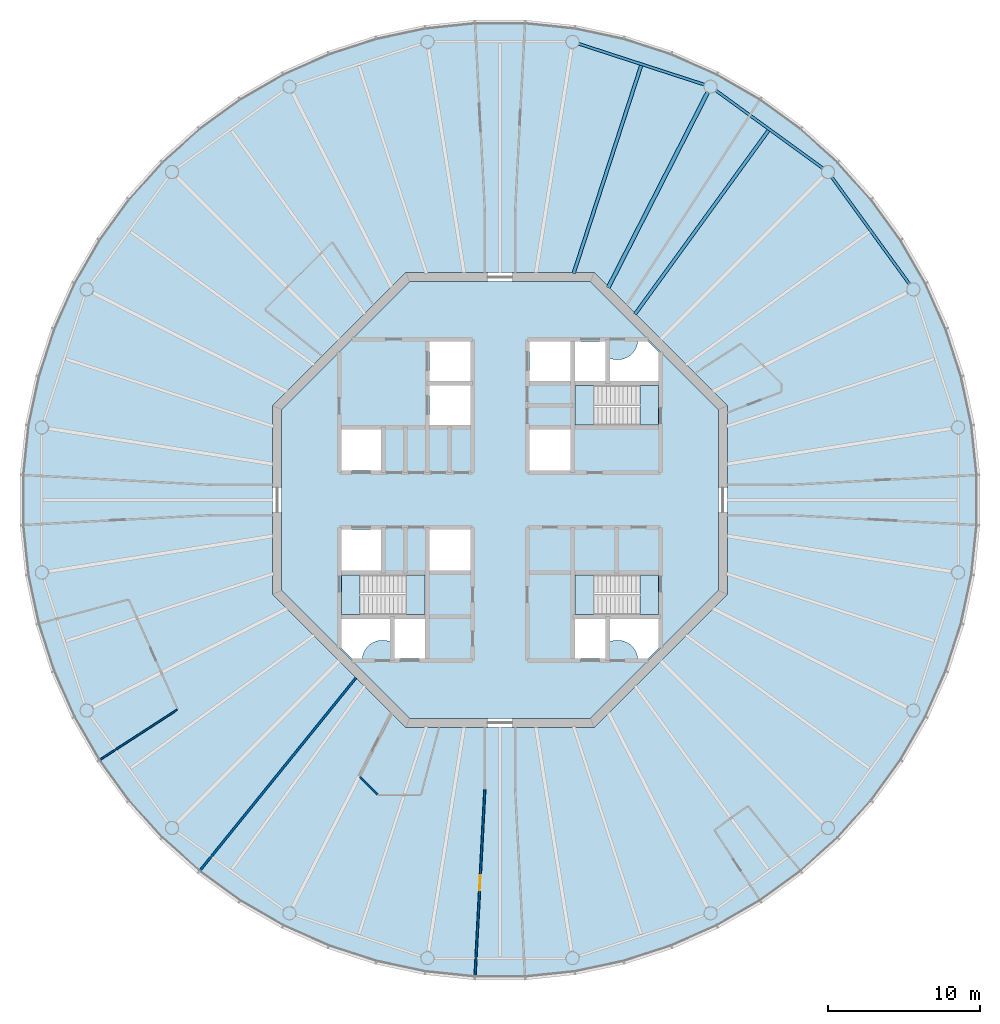
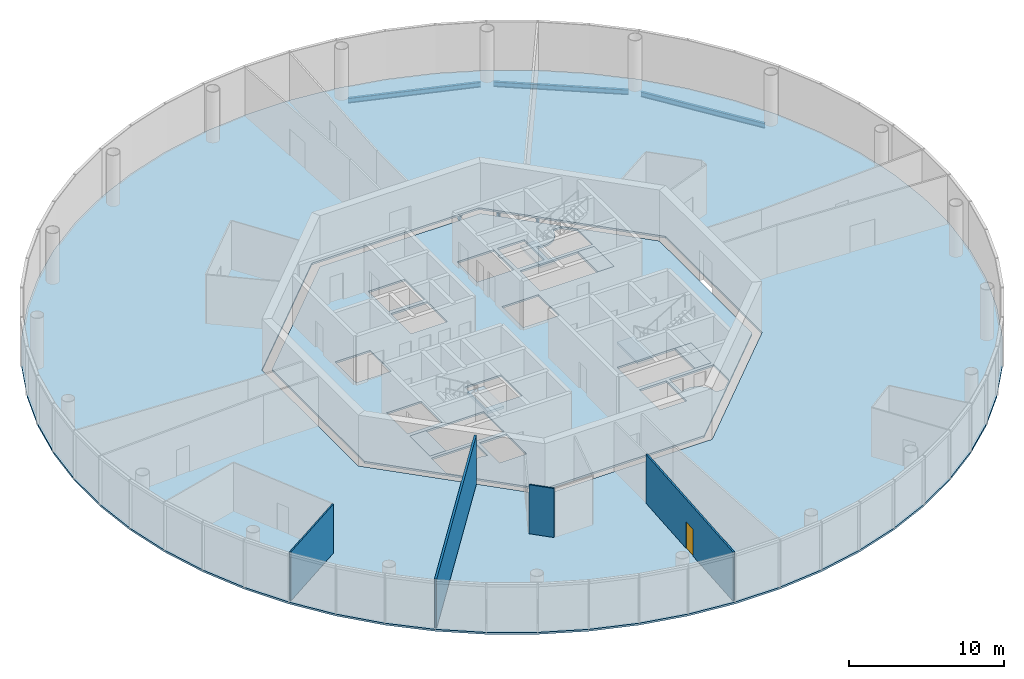
# One storey, part 2 of 13: 8 slabs, 6 beams, 4 walls, 1 door, 1 opening, 3 elements without a shape of their own.
"""IFC4 building model written with IfcOpenShell, lengths in metres."""

from ifc_helpers import new_model, si_unit, direction, frame, frame_2d, origin, origin_2d, place, context, subcontext, project, spatial, polyline, rectangle, i_section, outline, extrude, material, layer, layer_set, material_profile, profile_set, type_object, element, fill, aggregate, save


model = new_model("IFC4")

# Units and contexts
model_context = context("Model", 3, precision=1e-05, world=origin(), true_north=direction((0.0, 1.0)))
body_context = subcontext(model_context, "Body", "Model", "MODEL_VIEW")
ifc_project = project(units=[si_unit("LENGTHUNIT", "METRE"), si_unit("AREAUNIT", "SQUARE_METRE"), si_unit("VOLUMEUNIT", "CUBIC_METRE"), si_unit("PLANEANGLEUNIT", "RADIAN"), si_unit("MASSUNIT", "GRAM", prefix="KILO")], contexts=[model_context])

# Site, building, storey
site_placement = place(None, origin())
site = spatial("IfcSite", under=ifc_project, at=site_placement, CompositionType="ELEMENT")
building_placement = place(site_placement, origin())
building = spatial("IfcBuilding", under=site, at=building_placement, Name="Entoto Ring Tower", CompositionType="ELEMENT")
storey_placement = place(building_placement, frame((0.0, 0.0, 380.0)))
storey = spatial("IfcBuildingStorey", under=building, at=storey_placement, Name="L88", CompositionType="ELEMENT", Elevation=380.0)

# Beams
ifc_material_1 = material(Name="Steel S355", Category="steel")
ifc_material_profile_1 = material_profile(ifc_material_1, i_section(OverallWidth=0.179931640625, OverallDepth=0.39990234375, WebThickness=0.008544921875, FlangeThickness=0.013427734375, FilletRadius=0.02099609375, at=origin_2d()), Name="IPE 400")
ifc_profile_set_1 = profile_set([ifc_material_profile_1], Name="Steel S355")
beam_type_1 = type_object("IfcBeamType", Name="Edge beam IPE 400", PredefinedType="SPANDREL", material=ifc_profile_set_1)
for number, where, z_axis, x_axis, name in (
    (1, (117.017333984375, 94.232666015625, -0.35009765625), (-0.587794254874, 0.80901045354, 0.0), (-0.80901045354, -0.587794254874, 0.0), "Edge beam L88 02"),
    (2, (111.296875, 101.884765625, -0.35009765625), (-0.80901045354, 0.587794254874, 0.0), (-0.587794254874, -0.80901045354, 0.0), "Edge beam L88 03"),
):
    element("IfcBeam", number, at=place(storey_placement, frame(where, z_axis=z_axis, x_axis=x_axis)), inside=storey, type_object=beam_type_1, Name=name, PredefinedType="SPANDREL", context=body_context, shape_type="SweptSolid", body=[
        extrude(i_section(OverallWidth=0.179931640625, OverallDepth=0.39990234375, WebThickness=0.008544921875, FlangeThickness=0.013427734375, FilletRadius=0.02099609375, at=origin_2d()), origin(), (0.0, 0.0, 1.0), 8.73193359375),
    ])
beam_1_placement = place(storey_placement, frame((103.491943359375, 107.394775390625, -0.35009765625), z_axis=(-0.951052147972, 0.309030438368, 0.0), x_axis=(-0.309030438368, -0.951052147972, 0.0)))
element("IfcBeam", 3, at=beam_1_placement, inside=storey, type_object=beam_type_1, Name="Edge beam L88 04", PredefinedType="SPANDREL", context=body_context, shape_type="SweptSolid", body=[
    extrude(i_section(OverallWidth=0.179931640625, OverallDepth=0.39990234375, WebThickness=0.008544921875, FlangeThickness=0.013427734375, FilletRadius=0.02099609375, at=origin_2d()), origin(), (0.0, 0.0, 1.0), 8.732177734375),
])
ifc_material_2 = material(Name="Steel S355", Category="steel")
ifc_material_profile_2 = material_profile(ifc_material_2, i_section(OverallWidth=0.262939453125, OverallDepth=0.7529296875, WebThickness=0.011474609375, FlangeThickness=0.01708984375, FilletRadius=0.01708984375, at=origin_2d()), Name="IPE 750 x 137")
ifc_profile_set_2 = profile_set([ifc_material_profile_2], Name="Steel S355")
beam_type_2 = type_object("IfcBeamType", Name="Primary floor beam IPE 750 x 137", PredefinedType="BEAM", material=ifc_profile_set_2)
beam_2_placement = place(storey_placement, frame((97.1318359375, 93.9970703125, -0.526611328125), z_axis=(0.453991952968, 0.89100578373, 0.0), x_axis=(-0.89100578373, 0.453991952968, 0.0)))
element("IfcBeam", 4, at=beam_2_placement, inside=storey, type_object=beam_type_2, Name="Primary L88 R04", PredefinedType="BEAM", context=body_context, shape_type="SweptSolid", body=[
    extrude(i_section(OverallWidth=0.262939453125, OverallDepth=0.7529296875, WebThickness=0.011474609375, FlangeThickness=0.01708984375, FilletRadius=0.01708984375, at=origin_2d()), origin(), (0.0, 0.0, 1.0), 14.48046875),
])
ifc_material_3 = material(Name="Steel S355", Category="steel")
ifc_material_profile_3 = material_profile(ifc_material_3, i_section(OverallWidth=0.219970703125, OverallDepth=0.60009765625, WebThickness=0.011962890625, FlangeThickness=0.01904296875, FilletRadius=0.02392578125, at=origin_2d()), Name="IPE 600")
ifc_profile_set_3 = profile_set([ifc_material_profile_3], Name="Steel S355")
beam_type_3 = type_object("IfcBeamType", Name="Secondary floor beam IPE 600", PredefinedType="JOIST", material=ifc_profile_set_3)
beam_3_placement = place(storey_placement, frame((98.90478515625, 92.25634765625, -0.449951171875), z_axis=(0.587782163866, 0.809019238239, 0.0), x_axis=(-0.809019238239, 0.587782163866, 0.0)))
element("IfcBeam", 5, at=beam_3_placement, inside=storey, type_object=beam_type_3, Name="Secondary beam L88 03", PredefinedType="JOIST", context=body_context, shape_type="SweptSolid", body=[
    extrude(i_section(OverallWidth=0.219970703125, OverallDepth=0.60009765625, WebThickness=0.011962890625, FlangeThickness=0.01904296875, FilletRadius=0.02392578125, at=origin_2d()), origin(), (0.0, 0.0, 1.0), 14.983642578125),
])
beam_4_placement = place(storey_placement, frame((94.856689453125, 94.947021484375, -0.449951171875), z_axis=(0.309014850288, 0.951057212949, 0.0), x_axis=(-0.951057212949, 0.309014850288, 0.0)))
element("IfcBeam", 6, at=beam_4_placement, inside=storey, type_object=beam_type_3, Name="Secondary beam L88 04", PredefinedType="JOIST", context=body_context, shape_type="SweptSolid", body=[
    extrude(i_section(OverallWidth=0.219970703125, OverallDepth=0.60009765625, WebThickness=0.011962890625, FlangeThickness=0.01904296875, FilletRadius=0.02392578125, at=origin_2d()), origin(), (0.0, 0.0, 1.0), 14.4169921875),
])

# Slabs
ifc_material_4 = material(Name="Concrete C30/37", Category="concrete")
ifc_layer_1 = layer(ifc_material_4, 0.14990234375)
ifc_layer_set_1 = layer_set([ifc_layer_1], Name="Concrete C30/37")
slab_type_1 = type_object("IfcSlabType", Name="Composite floor slab 150 mm", PredefinedType="FLOOR", material=ifc_layer_set_1)
slab_1_placement = place(storey_placement, frame((0.0, 0.0, -0.14990234375)))
element("IfcSlab", 7, at=slab_1_placement, inside=storey, type_object=slab_type_1, Name="Floor slab L88", PredefinedType="FLOOR", context=body_context, shape_type="SweptSolid", body=[
    extrude(outline(polyline([(121.2109375, 84.943359375), (120.523193359375, 88.1787109375), (119.501220703125, 91.324462890625), (118.15576171875, 94.34619140625), (116.501953125, 97.210693359375), (114.557861328125, 99.886474609375), (112.344482421875, 102.344482421875), (109.886474609375, 104.557861328125), (107.210693359375, 106.501953125), (104.34619140625, 108.15576171875), (101.324462890625, 109.501220703125), (98.1787109375, 110.523193359375), (94.943359375, 111.2109375), (91.65380859375, 111.556640625), (88.34619140625, 111.556640625), (85.056640625, 111.2109375), (81.8212890625, 110.523193359375), (78.675537109375, 109.501220703125), (75.65380859375, 108.15576171875), (72.789306640625, 106.501953125), (70.113525390625, 104.557861328125), (67.655517578125, 102.344482421875), (65.442138671875, 99.886474609375), (63.498046875, 97.210693359375), (61.84423828125, 94.34619140625), (60.498779296875, 91.324462890625), (59.476806640625, 88.1787109375), (58.7890625, 84.943359375), (58.443359375, 81.65380859375), (58.443359375, 78.34619140625), (58.7890625, 75.056640625), (59.476806640625, 71.8212890625), (60.498779296875, 68.675537109375), (61.84423828125, 65.65380859375), (63.498046875, 62.789306640625), (65.442138671875, 60.113525390625), (67.655517578125, 57.655517578125), (70.113525390625, 55.442138671875), (72.789306640625, 53.498046875), (75.65380859375, 51.84423828125), (78.675537109375, 50.498779296875), (81.8212890625, 49.476806640625), (85.056640625, 48.7890625), (88.34619140625, 48.443359375), (91.65380859375, 48.443359375), (94.943359375, 48.7890625), (98.1787109375, 49.476806640625), (101.324462890625, 50.498779296875), (104.34619140625, 51.84423828125), (107.210693359375, 53.498046875), (109.886474609375, 55.442138671875), (112.344482421875, 57.655517578125), (114.557861328125, 60.113525390625), (116.501953125, 62.789306640625), (118.15576171875, 65.65380859375), (119.501220703125, 68.675537109375), (120.523193359375, 71.8212890625), (121.2109375, 75.056640625), (121.556640625, 78.34619140625), (121.556640625, 81.65380859375), (121.2109375, 84.943359375)]), holes=[polyline([(105.0, 73.786865234375), (105.0, 86.213134765625), (96.213134765625, 95.0), (83.786865234375, 95.0), (75.0, 86.213134765625), (75.0, 73.786865234375), (83.786865234375, 65.0), (96.213134765625, 65.0), (105.0, 73.786865234375)])]), origin(), (0.0, 0.0, 1.0), 0.14990234375),
])
ifc_material_5 = material(Name="Concrete C40/50", Category="concrete")
ifc_layer_2 = layer(ifc_material_5, 0.14990234375)
ifc_layer_set_2 = layer_set([ifc_layer_2], Name="Concrete C40/50")
slab_type_2 = type_object("IfcSlabType", Name="Core floor slab 150 mm reinforced concrete C40/50", PredefinedType="FLOOR", material=ifc_layer_set_2)
slab_2_placement = place(storey_placement, frame((0.0, 0.0, -0.14990234375)))
element("IfcSlab", 8, at=slab_2_placement, inside=storey, type_object=slab_type_2, Name="Core floor L88", PredefinedType="FLOOR", context=body_context, shape_type="SweptSolid", body=[
    extrude(outline(polyline([(104.39990234375, 74.035400390625), (104.39990234375, 85.964599609375), (95.964599609375, 94.39990234375), (84.035400390625, 94.39990234375), (75.60009765625, 85.964599609375), (75.60009765625, 74.035400390625), (84.035400390625, 65.60009765625), (95.964599609375, 65.60009765625), (104.39990234375, 74.035400390625)]), holes=[polyline([(100.449951171875, 84.949951171875), (100.449951171875, 87.550048828125), (94.949951171875, 87.550048828125), (94.949951171875, 84.949951171875), (100.449951171875, 84.949951171875)]), polyline([(85.050048828125, 72.449951171875), (85.050048828125, 75.050048828125), (79.550048828125, 75.050048828125), (79.550048828125, 72.449951171875), (85.050048828125, 72.449951171875)]), polyline([(100.449951171875, 72.449951171875), (100.449951171875, 75.050048828125), (94.949951171875, 75.050048828125), (94.949951171875, 72.449951171875), (100.449951171875, 72.449951171875)]), polyline([(94.949951171875, 90.449951171875), (94.949951171875, 87.85009765625), (96.949951171875, 87.85009765625), (96.949951171875, 90.449951171875), (94.949951171875, 90.449951171875)]), polyline([(94.949951171875, 72.14990234375), (94.949951171875, 69.550048828125), (96.949951171875, 69.550048828125), (96.949951171875, 72.14990234375), (94.949951171875, 72.14990234375)]), polyline([(83.050048828125, 72.14990234375), (83.050048828125, 69.550048828125), (85.050048828125, 69.550048828125), (85.050048828125, 72.14990234375), (83.050048828125, 72.14990234375)]), polyline([(79.550048828125, 81.949951171875), (82.14990234375, 81.949951171875), (82.14990234375, 84.64990234375), (79.550048828125, 84.64990234375), (79.550048828125, 81.949951171875)]), polyline([(79.550048828125, 75.35009765625), (82.14990234375, 75.35009765625), (82.14990234375, 78.050048828125), (79.550048828125, 78.050048828125), (79.550048828125, 75.35009765625)]), polyline([(91.949951171875, 87.85009765625), (94.64990234375, 87.85009765625), (94.64990234375, 90.449951171875), (91.949951171875, 90.449951171875), (91.949951171875, 87.85009765625)]), polyline([(91.949951171875, 81.949951171875), (94.64990234375, 81.949951171875), (94.64990234375, 84.64990234375), (91.949951171875, 84.64990234375), (91.949951171875, 81.949951171875)]), polyline([(85.35009765625, 75.35009765625), (88.050048828125, 75.35009765625), (88.050048828125, 78.050048828125), (85.35009765625, 78.050048828125), (85.35009765625, 75.35009765625)]), polyline([(85.35009765625, 84.949951171875), (88.050048828125, 84.949951171875), (88.050048828125, 87.550048828125), (85.35009765625, 87.550048828125), (85.35009765625, 84.949951171875)]), polyline([(85.35009765625, 87.85009765625), (88.050048828125, 87.85009765625), (88.050048828125, 90.449951171875), (85.35009765625, 90.449951171875), (85.35009765625, 87.85009765625)]), polyline([(97.199951171875, 89.368408203125), (97.199951171875, 87.800048828125), (100.5, 87.800048828125), (100.5, 89.723388671875), (99.723388671875, 90.5), (99.09521484375, 90.5), (99.093505859375, 90.4677734375), (99.07421875, 90.336669921875), (99.0419921875, 90.2080078125), (98.997314453125, 90.08349609375), (98.940673828125, 89.963623046875), (98.87255859375, 89.85009765625), (98.793701171875, 89.74365234375), (98.70458984375, 89.6455078125), (98.6064453125, 89.556396484375), (98.5, 89.4775390625), (98.386474609375, 89.409423828125), (98.2666015625, 89.352783203125), (98.141845703125, 89.30810546875), (98.013427734375, 89.27587890625), (97.88232421875, 89.256591796875), (97.75, 89.25), (97.61767578125, 89.256591796875), (97.486572265625, 89.27587890625), (97.358154296875, 89.30810546875), (97.2333984375, 89.352783203125), (97.199951171875, 89.368408203125)]), polyline([(80.276611328125, 69.5), (80.90478515625, 69.5), (80.906494140625, 69.5322265625), (80.92578125, 69.663330078125), (80.9580078125, 69.7919921875), (81.002685546875, 69.91650390625), (81.059326171875, 70.036376953125), (81.12744140625, 70.14990234375), (81.206298828125, 70.25634765625), (81.29541015625, 70.3544921875), (81.3935546875, 70.443603515625), (81.5, 70.5224609375), (81.613525390625, 70.590576171875), (81.7333984375, 70.647216796875), (81.858154296875, 70.69189453125), (81.986572265625, 70.72412109375), (82.11767578125, 70.743408203125), (82.25, 70.75), (82.38232421875, 70.743408203125), (82.513427734375, 70.72412109375), (82.641845703125, 70.69189453125), (82.7666015625, 70.647216796875), (82.800048828125, 70.631591796875), (82.800048828125, 72.199951171875), (79.5, 72.199951171875), (79.5, 70.276611328125), (80.276611328125, 69.5)]), polyline([(99.09521484375, 69.5), (99.723388671875, 69.5), (100.5, 70.276611328125), (100.5, 72.199951171875), (97.199951171875, 72.199951171875), (97.199951171875, 70.631591796875), (97.2333984375, 70.647216796875), (97.358154296875, 70.69189453125), (97.486572265625, 70.72412109375), (97.61767578125, 70.743408203125), (97.75, 70.75), (97.88232421875, 70.743408203125), (98.013427734375, 70.72412109375), (98.141845703125, 70.69189453125), (98.2666015625, 70.647216796875), (98.386474609375, 70.590576171875), (98.5, 70.5224609375), (98.6064453125, 70.443603515625), (98.70458984375, 70.3544921875), (98.793701171875, 70.25634765625), (98.87255859375, 70.14990234375), (98.940673828125, 70.036376953125), (98.997314453125, 69.91650390625), (99.0419921875, 69.7919921875), (99.07421875, 69.663330078125), (99.093505859375, 69.5322265625), (99.09521484375, 69.5)])]), origin(), (0.0, 0.0, 1.0), 0.14990234375),
])

# Stair, slabs
ifc_material_6 = material(Name="Concrete C40/50", Category="concrete")
stair_type = type_object("IfcStairType", Name="Exit stair 1200 mm dog-leg reinforced concrete", PredefinedType="HALF_TURN_STAIR", material=ifc_material_6)
stair_1_placement = place(storey_placement, origin())
stair_1 = element("IfcStair", 9, at=stair_1_placement, inside=storey, type_object=stair_type, Name="Exit stair 1", PredefinedType="HALF_TURN_STAIR")
ifc_material_7 = material(Name="Concrete C40/50", Category="concrete")
ifc_layer_3 = layer(ifc_material_7, 0.199951171875)
ifc_layer_set_3 = layer_set([ifc_layer_3], Name="Concrete C40/50")
slab_type_3 = type_object("IfcSlabType", Name="Stair landing 200 mm reinforced concrete", PredefinedType="LANDING", material=ifc_layer_set_3)
slab_3_placement = place(storey_placement, frame((0.0, 0.0, -0.199951171875)))
slab_3 = element("IfcSlab", 10, at=slab_3_placement, type_object=slab_type_3, Name="ST1 landing 1", PredefinedType="LANDING", context=body_context, shape_type="SweptSolid", body=[
    extrude(outline(polyline([(100.449951171875, 84.949951171875), (100.449951171875, 87.550048828125), (99.25, 87.550048828125), (99.25, 84.949951171875), (100.449951171875, 84.949951171875)])), origin(), (0.0, 0.0, 1.0), 0.199951171875),
])
slab_4_placement = place(storey_placement, frame((0.0, 0.0, 1.800048828125)))
slab_4 = element("IfcSlab", 11, at=slab_4_placement, type_object=slab_type_3, Name="ST1 landing 2", PredefinedType="LANDING", context=body_context, shape_type="SweptSolid", body=[
    extrude(outline(polyline([(94.949951171875, 84.949951171875), (96.169921875, 84.949951171875), (96.169921875, 87.550048828125), (94.949951171875, 87.550048828125), (94.949951171875, 84.949951171875)])), origin(), (0.0, 0.0, 1.0), 0.199951171875),
])
aggregate(stair_1, [slab_3, slab_4])

stair_2_placement = place(storey_placement, origin())
stair_2 = element("IfcStair", 12, at=stair_2_placement, inside=storey, type_object=stair_type, Name="Exit stair 2", PredefinedType="HALF_TURN_STAIR")
slab_5_placement = place(storey_placement, frame((0.0, 0.0, -0.199951171875)))
slab_5 = element("IfcSlab", 13, at=slab_5_placement, type_object=slab_type_3, Name="ST2 landing 1", PredefinedType="LANDING", context=body_context, shape_type="SweptSolid", body=[
    extrude(outline(polyline([(80.75, 72.449951171875), (80.75, 75.050048828125), (79.550048828125, 75.050048828125), (79.550048828125, 72.449951171875), (80.75, 72.449951171875)])), origin(), (0.0, 0.0, 1.0), 0.199951171875),
])
slab_6_placement = place(storey_placement, frame((0.0, 0.0, 1.800048828125)))
slab_6 = element("IfcSlab", 14, at=slab_6_placement, type_object=slab_type_3, Name="ST2 landing 2", PredefinedType="LANDING", context=body_context, shape_type="SweptSolid", body=[
    extrude(outline(polyline([(83.830078125, 72.449951171875), (85.050048828125, 72.449951171875), (85.050048828125, 75.050048828125), (83.830078125, 75.050048828125), (83.830078125, 72.449951171875)])), origin(), (0.0, 0.0, 1.0), 0.199951171875),
])
aggregate(stair_2, [slab_5, slab_6])

stair_3_placement = place(storey_placement, origin())
stair_3 = element("IfcStair", 15, at=stair_3_placement, inside=storey, type_object=stair_type, Name="Exit stair 3", PredefinedType="HALF_TURN_STAIR")
slab_7_placement = place(storey_placement, frame((0.0, 0.0, -0.199951171875)))
slab_7 = element("IfcSlab", 16, at=slab_7_placement, type_object=slab_type_3, Name="ST3 landing 1", PredefinedType="LANDING", context=body_context, shape_type="SweptSolid", body=[
    extrude(outline(polyline([(100.449951171875, 72.449951171875), (100.449951171875, 75.050048828125), (99.25, 75.050048828125), (99.25, 72.449951171875), (100.449951171875, 72.449951171875)])), origin(), (0.0, 0.0, 1.0), 0.199951171875),
])
slab_8_placement = place(storey_placement, frame((0.0, 0.0, 1.800048828125)))
slab_8 = element("IfcSlab", 17, at=slab_8_placement, type_object=slab_type_3, Name="ST3 landing 2", PredefinedType="LANDING", context=body_context, shape_type="SweptSolid", body=[
    extrude(outline(polyline([(94.949951171875, 72.449951171875), (96.169921875, 72.449951171875), (96.169921875, 75.050048828125), (94.949951171875, 75.050048828125), (94.949951171875, 72.449951171875)])), origin(), (0.0, 0.0, 1.0), 0.199951171875),
])
aggregate(stair_3, [slab_7, slab_8])

# Wall, opening, door
ifc_material_8 = material(Name="Fire-resisting plasterboard on steel studs", Category="steel")
ifc_layer_4 = layer(ifc_material_8, 0.125)
ifc_layer_set_4 = layer_set([ifc_layer_4], Name="Fire-resisting plasterboard on steel studs")
wall_type_1 = type_object("IfcWallType", Name="Corridor wall 125 mm one-hour plasterboard on steel studs", PredefinedType="PARTITIONING", material=ifc_layer_set_4)
wall_1_placement = place(storey_placement, frame((88.3544921875, 48.60302734375, 0.0), z_axis=(0.0, 0.0, 1.0), x_axis=(0.052340638328, 0.998629289366, 0.0)))
wall_1 = element("IfcWall", 18, at=wall_1_placement, inside=storey, type_object=wall_type_1, Name="partition-L88-003", PredefinedType="PARTITIONING", context=body_context, shape_type="SweptSolid", body=[
    extrude(rectangle(XDim=12.332763671875, YDim=0.125, at=frame_2d((6.16650390625, 0.0))), origin(), (0.0, 0.0, 1.0), 3.85009765625),
])
opening_placement = place(wall_1_placement, frame((5.666259765625, 0.0, 0.0)))
opening = element("IfcOpeningElement", 19, at=opening_placement, cuts=wall_1, Name="Opening A37-D08", PredefinedType="OPENING", context=body_context, shape_type="SweptSolid", body=[
    extrude(rectangle(XDim=1.0, YDim=2.10009765625, at=frame_2d((0.5, 1.050048828125))), frame((0.0, 0.072509765625, 0.0), z_axis=(0.0, -1.0, 0.0), x_axis=(1.0, 0.0, 0.0)), (0.0, 0.0, 1.0), 0.14501953125),
])
ifc_material_9 = material(Name="Fire-resisting timber door set", Category="wood")
door_type = type_object("IfcDoorType", Name="Door 1000 x 2100 single leaf FD30S fire door", OperationType="NOTDEFINED", PredefinedType="DOOR", material=ifc_material_9)
door_placement = place(opening_placement, origin())
door = element("IfcDoor", 20, at=door_placement, inside=storey, type_object=door_type, Name="Door A37-D08", OperationType="SINGLE_SWING_LEFT", OverallHeight=2.10009765625, OverallWidth=1.0, PredefinedType="DOOR", context=body_context, shape_type="SweptSolid", body=[
    extrude(rectangle(XDim=1.0, YDim=2.10009765625, at=frame_2d((0.5, 1.050048828125))), frame((0.0, 0.02490234375, 0.0), z_axis=(0.0, -1.0, 0.0), x_axis=(1.0, 0.0, 0.0)), (0.0, 0.0, 1.0), 0.050048828125),
])
fill(opening, door)

# Walls
ifc_material_10 = material(Name="Plasterboard on steel studs", Category="steel")
ifc_layer_5 = layer(ifc_material_10, 0.10009765625)
ifc_layer_set_5 = layer_set([ifc_layer_5], Name="Plasterboard on steel studs")
wall_type_2 = type_object("IfcWallType", Name="Partition 100 mm plasterboard on steel studs", PredefinedType="PARTITIONING", material=ifc_layer_set_5)
wall_2_placement = place(storey_placement, frame((63.632080078125, 62.87646484375, 0.0), z_axis=(0.0, 0.0, 1.0), x_axis=(0.838667927418, 0.54464310105, 0.0)))
element("IfcWall", 21, at=wall_2_placement, inside=storey, type_object=wall_type_2, Name="partition-L88-021", PredefinedType="PARTITIONING", context=body_context, shape_type="SweptSolid", body=[
    extrude(rectangle(XDim=6.040771484375, YDim=0.10009765625, at=frame_2d((3.0205078125, 0.0))), origin(), (0.0, 0.0, 1.0), 3.85009765625),
])
wall_3_placement = place(storey_placement, frame((81.918701171875, 60.57470703125, 0.0), z_axis=(0.0, 0.0, 1.0), x_axis=(-0.707032989715, 0.707180564958, 0.0)))
element("IfcWall", 22, at=wall_3_placement, inside=storey, type_object=wall_type_2, Name="partition-L88-034", PredefinedType="PARTITIONING", context=body_context, shape_type="SweptSolid", body=[
    extrude(rectangle(XDim=1.654296875, YDim=0.10009765625, at=frame_2d((0.8271484375, 0.0))), origin(), (0.0, 0.0, 1.0), 3.85009765625),
])
ifc_material_11 = material(Name="Fire-resisting acoustic plasterboard on steel studs", Category="steel")
ifc_layer_6 = layer(ifc_material_11, 0.14990234375)
ifc_layer_set_6 = layer_set([ifc_layer_6], Name="Fire-resisting acoustic plasterboard on steel studs")
wall_type_3 = type_object("IfcWallType", Name="Party wall 150 mm one-hour acoustic plasterboard on steel studs", PredefinedType="PARTITIONING", material=ifc_layer_set_6)
wall_4_placement = place(storey_placement, frame((70.214111328125, 55.56640625, 0.0), z_axis=(0.0, 0.0, 1.0), x_axis=(0.629323592667, 0.777143368827, 0.0)))
element("IfcWall", 23, at=wall_4_placement, inside=storey, type_object=wall_type_3, Name="partition-L88-017", PredefinedType="PARTITIONING", context=body_context, shape_type="SweptSolid", body=[
    extrude(rectangle(XDim=16.357666015625, YDim=0.14990234375, at=frame_2d((8.1787109375, 0.0))), origin(), (0.0, 0.0, 1.0), 3.85009765625),
])

save(model, "model.ifc")
